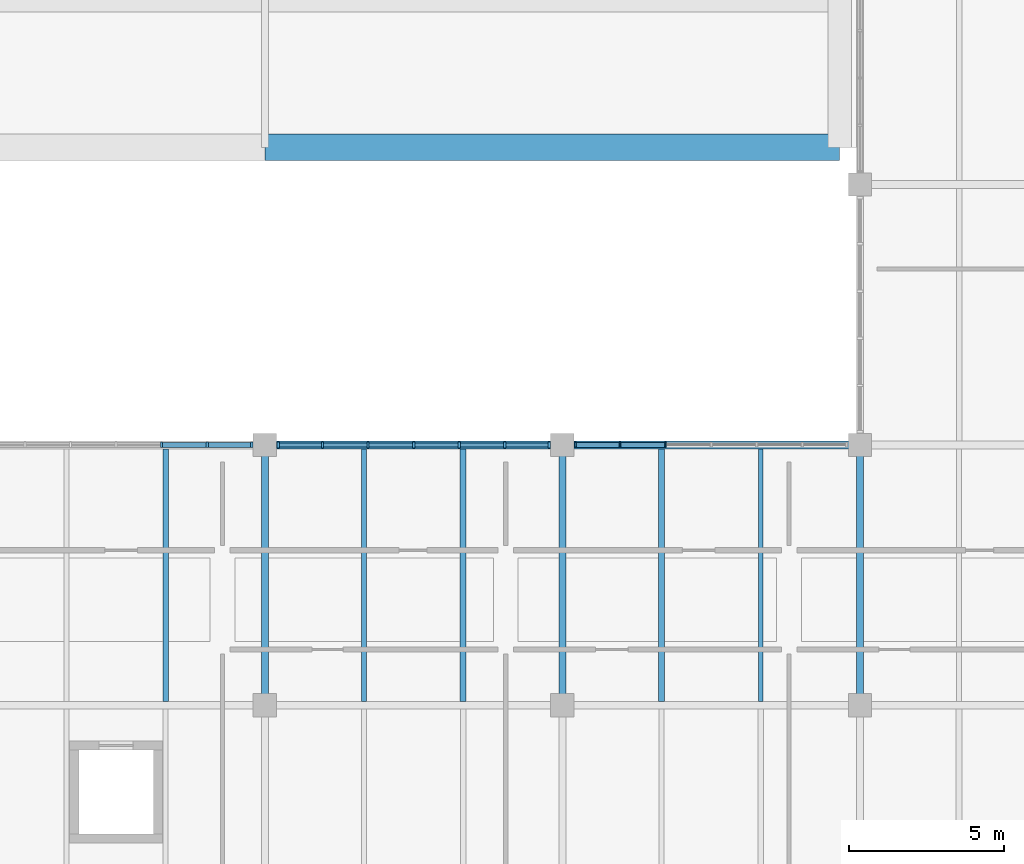
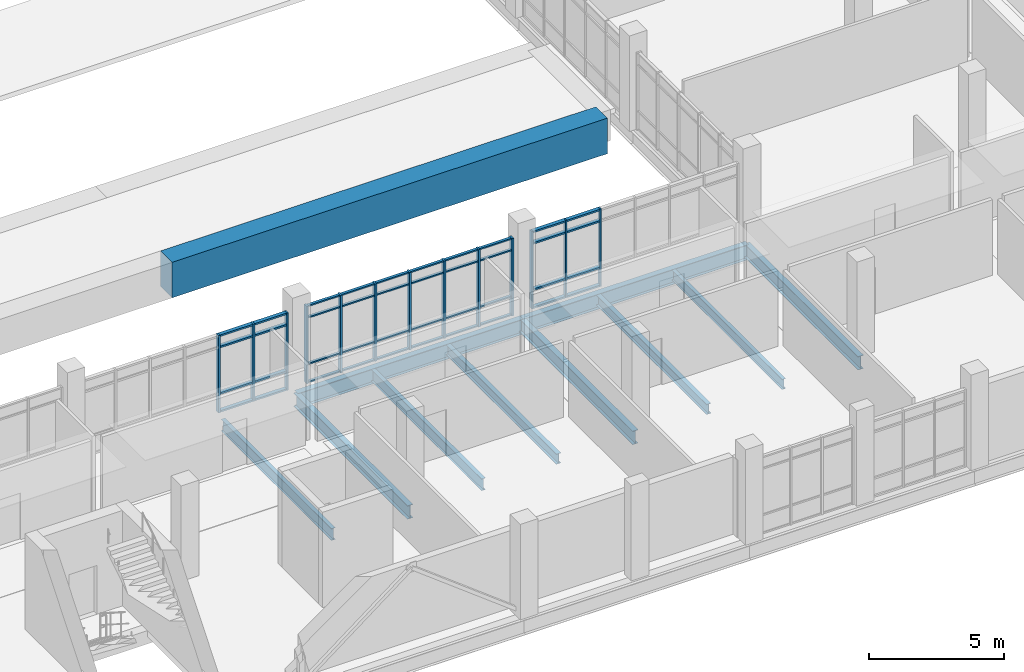
# One storey, part 20 of 86: 53 members, 11 beams, 3 elements without a shape of their own.
"""IFC4 building model written with IfcOpenShell, lengths in metres."""

from ifc_helpers import new_model, si_unit, direction, frame, origin, origin_2d, place, context, subcontext, project, spatial, rectangle, i_section, extrude, material, material_profile, profile_set, type_object, element, aggregate, save


model = new_model("IFC4")

# Units and contexts
model_context = context("Model", 3, precision=1e-05, world=origin(), true_north=direction((0.0, 1.0)))
body_context = subcontext(model_context, "Body", "Model", "MODEL_VIEW")
ifc_project = project(units=[si_unit("LENGTHUNIT", "METRE"), si_unit("AREAUNIT", "SQUARE_METRE"), si_unit("VOLUMEUNIT", "CUBIC_METRE"), si_unit("PLANEANGLEUNIT", "RADIAN"), si_unit("MASSUNIT", "GRAM", prefix="KILO")], contexts=[model_context])

# Site, building, storey
site_placement = place(None, origin())
site = spatial("IfcSite", under=ifc_project, at=site_placement, CompositionType="ELEMENT")
building_placement = place(site_placement, origin())
building = spatial("IfcBuilding", under=site, at=building_placement, Name="Oolite Switchyard Hospital", CompositionType="ELEMENT")
storey_placement = place(building_placement, frame((0.0, 0.0, 13.5)))
storey = spatial("IfcBuildingStorey", under=building, at=storey_placement, Name="L03", CompositionType="ELEMENT", Elevation=13.5)

# Beams
ifc_material_1 = material(Name="Concrete C40/50", Category="concrete")
ifc_material_profile_1 = material_profile(ifc_material_1, rectangle(XDim=0.85009765625, YDim=1.60009765625, at=origin_2d()), Name="RCT850X1600")
ifc_profile_set_1 = profile_set([ifc_material_profile_1], Name="Concrete C40/50")
beam_type_1 = type_object("IfcBeamType", Name="BM-TR850X1600", PredefinedType="BEAM", material=ifc_profile_set_1)
beam_1_placement = place(storey_placement, frame((163.199951171875, 34.800048828125, -0.800048828125), z_axis=(1.0, 0.0, 0.0), x_axis=(0.0, 1.0, 0.0)))
element("IfcBeam", 1, at=beam_1_placement, inside=storey, type_object=beam_type_1, Name="L03 X-Girder 1960", PredefinedType="BEAM", context=body_context, shape_type="SweptSolid", body=[
    extrude(rectangle(XDim=0.85009765625, YDim=1.60009765625, at=origin_2d()), origin(), (0.0, 0.0, 1.0), 18.550048828125),
])
ifc_material_2 = material(Name="Steel ASTM A992 Grade 50", Category="steel")
ifc_material_profile_2 = material_profile(ifc_material_2, i_section(OverallWidth=0.153076171875, OverallDepth=0.455078125, WebThickness=0.008056640625, FlangeThickness=0.012939453125, at=origin_2d()), Name="W18X40")
ifc_profile_set_2 = profile_set([ifc_material_profile_2], Name="Steel ASTM A992 Grade 50")
beam_type_2 = type_object("IfcBeamType", Name="BM-W18X40", PredefinedType="JOIST", material=ifc_profile_set_2)
beam_2_placement = place(storey_placement, frame((179.199951171875, 16.927001953125, -0.501953125), z_axis=(0.0, 1.0, 0.0), x_axis=(-1.0, 0.0, 0.0)))
element("IfcBeam", 2, at=beam_2_placement, inside=storey, type_object=beam_type_2, Name="L03 Secondary Steel Joist 2681", PredefinedType="JOIST", context=body_context, shape_type="SweptSolid", body=[
    extrude(i_section(OverallWidth=0.153076171875, OverallDepth=0.455078125, WebThickness=0.008056640625, FlangeThickness=0.012939453125, at=origin_2d()), origin(), (0.0, 0.0, 1.0), 8.14599609375),
])
ifc_material_profile_3 = material_profile(ifc_material_2, i_section(OverallWidth=0.19091796875, OverallDepth=0.4599609375, WebThickness=0.010009765625, FlangeThickness=0.01611328125, at=origin_2d()), Name="W18X55")
ifc_profile_set_3 = profile_set([ifc_material_profile_3], Name="Steel ASTM A992 Grade 50")
beam_type_3 = type_object("IfcBeamType", Name="BM-W18X55", PredefinedType="JOIST", material=ifc_profile_set_3)
for number, where, z_axis, x_axis, name in (
    (3, (169.60009765625, 16.927001953125, -0.5048828125), (0.0, 1.0, 0.0), (-1.0, 0.0, 0.0), "L03 Secondary Steel Joist 2661"),
    (4, (176.0, 16.927001953125, -0.5048828125), (0.0, 1.0, 0.0), (-1.0, 0.0, 0.0), "L03 Secondary Steel Joist 2680"),
):
    element("IfcBeam", number, at=place(storey_placement, frame(where, z_axis=z_axis, x_axis=x_axis)), inside=storey, type_object=beam_type_3, Name=name, PredefinedType="JOIST", context=body_context, shape_type="SweptSolid", body=[
        extrude(i_section(OverallWidth=0.19091796875, OverallDepth=0.4599609375, WebThickness=0.010009765625, FlangeThickness=0.01611328125, at=origin_2d()), origin(), (0.0, 0.0, 1.0), 8.14599609375),
    ])
ifc_material_profile_4 = material_profile(ifc_material_2, i_section(OverallWidth=0.166015625, OverallDepth=0.529052734375, WebThickness=0.010009765625, FlangeThickness=0.013916015625, at=origin_2d()), Name="W21X50")
ifc_profile_set_4 = profile_set([ifc_material_profile_4], Name="Steel ASTM A992 Grade 50")
beam_type_4 = type_object("IfcBeamType", Name="BM-W21X50", PredefinedType="JOIST", material=ifc_profile_set_4)
for number, where, z_axis, x_axis, name in (
    (5, (160.0, 16.927001953125, -0.5400390625), (0.0, 1.0, 0.0), (-1.0, 0.0, 0.0), "L03 Secondary Steel Joist 2641"),
    (6, (166.39990234375, 16.927001953125, -0.5400390625), (0.0, 1.0, 0.0), (-1.0, 0.0, 0.0), "L03 Secondary Steel Joist 2660"),
):
    element("IfcBeam", number, at=place(storey_placement, frame(where, z_axis=z_axis, x_axis=x_axis)), inside=storey, type_object=beam_type_4, Name=name, PredefinedType="JOIST", context=body_context, shape_type="SweptSolid", body=[
        extrude(i_section(OverallWidth=0.166015625, OverallDepth=0.529052734375, WebThickness=0.010009765625, FlangeThickness=0.013916015625, at=origin_2d()), origin(), (0.0, 0.0, 1.0), 8.14599609375),
    ])
ifc_material_profile_5 = material_profile(ifc_material_2, i_section(OverallWidth=0.22900390625, OverallDepth=0.612060546875, WebThickness=0.011962890625, FlangeThickness=0.02001953125, at=origin_2d()), Name="W24X84")
ifc_profile_set_5 = profile_set([ifc_material_profile_5], Name="Steel ASTM A992 Grade 50")
beam_type_5 = type_object("IfcBeamType", Name="BM-W24X84", PredefinedType="BEAM", material=ifc_profile_set_5)
for number, where, z_axis, x_axis, name in (
    (7, (163.199951171875, 16.800048828125, -0.5810546875), (0.0, 1.0, 0.0), (-1.0, 0.0, 0.0), "L03 Y-Girder 2324"),
    (8, (172.800048828125, 16.800048828125, -0.5810546875), (0.0, 1.0, 0.0), (-1.0, 0.0, 0.0), "L03 Y-Girder 2336"),
    (9, (182.39990234375, 16.800048828125, -0.5810546875), (0.0, 1.0, 0.0), (-1.0, 0.0, 0.0), "L03 Y-Girder 2349"),
):
    element("IfcBeam", number, at=place(storey_placement, frame(where, z_axis=z_axis, x_axis=x_axis)), inside=storey, type_object=beam_type_5, Name=name, PredefinedType="BEAM", context=body_context, shape_type="SweptSolid", body=[
        extrude(i_section(OverallWidth=0.22900390625, OverallDepth=0.612060546875, WebThickness=0.011962890625, FlangeThickness=0.02001953125, at=origin_2d()), origin(), (0.0, 0.0, 1.0), 8.39990234375),
    ])
ifc_material_profile_6 = material_profile(ifc_material_2, i_section(OverallWidth=0.25390625, OverallDepth=0.68408203125, WebThickness=0.011962890625, FlangeThickness=0.01904296875, at=origin_2d()), Name="W27X94")
ifc_profile_set_6 = profile_set([ifc_material_profile_6], Name="Steel ASTM A992 Grade 50")
beam_type_6 = type_object("IfcBeamType", Name="BM-W27X94", PredefinedType="BEAM", material=ifc_profile_set_6)
beam_3_placement = place(storey_placement, frame((163.199951171875, 25.199951171875, -0.616943359375), z_axis=(1.0, 0.0, 0.0), x_axis=(0.0, 1.0, 0.0)))
element("IfcBeam", 10, at=beam_3_placement, inside=storey, type_object=beam_type_6, Name="L03 X-Girder 1944", PredefinedType="BEAM", context=body_context, shape_type="SweptSolid", body=[
    extrude(i_section(OverallWidth=0.25390625, OverallDepth=0.68408203125, WebThickness=0.011962890625, FlangeThickness=0.01904296875, at=origin_2d()), origin(), (0.0, 0.0, 1.0), 9.60009765625),
])
beam_4_placement = place(storey_placement, frame((172.800048828125, 25.199951171875, -0.616943359375), z_axis=(1.0, 0.0, 0.0), x_axis=(0.0, 1.0, 0.0)))
element("IfcBeam", 11, at=beam_4_placement, inside=storey, type_object=beam_type_6, Name="L03 X-Girder 1945", PredefinedType="BEAM", context=body_context, shape_type="SweptSolid", body=[
    extrude(i_section(OverallWidth=0.25390625, OverallDepth=0.68408203125, WebThickness=0.011962890625, FlangeThickness=0.01904296875, at=origin_2d()), origin(), (0.0, 0.0, 1.0), 9.599853515625),
])

# Curtain wall, members
ifc_material_3 = material(Name="Thermally broken aluminum frame with laminated impact glazing", Category="aluminium")
curtain_wall_type = type_object("IfcCurtainWallType", Name="CW-UNIT-96X43", PredefinedType="USERDEFINED", material=ifc_material_3)
curtain_wall_1_placement = place(storey_placement, origin())
curtain_wall_1 = element("IfcCurtainWall", 12, at=curtain_wall_1_placement, inside=storey, type_object=curtain_wall_type, Name="L03 Unitised Curtain Wall 333", ObjectType="UNITISED", PredefinedType="USERDEFINED")
ifc_material_4 = material(Name="Aluminium 6063-T6", Category="aluminium")
ifc_material_profile_7 = material_profile(ifc_material_4, rectangle(XDim=0.159912109375, YDim=0.06005859375, at=origin_2d()), Name="CWM60X160")
ifc_profile_set_7 = profile_set([ifc_material_profile_7], Name="Aluminium 6063-T6")
member_type_1 = type_object("IfcMemberType", Name="CW-MUL-180", PredefinedType="MULLION", material=ifc_profile_set_7)
member_1_placement = place(storey_placement, frame((173.219970703125, 25.199951171875, 0.0), z_axis=(0.0, 0.0, 1.0), x_axis=(0.0, 1.0, 0.0)))
member_1 = element("IfcMember", 13, at=member_1_placement, type_object=member_type_1, Name="CW-04 mullion 1", PredefinedType="MULLION", context=body_context, shape_type="SweptSolid", body=[
    extrude(rectangle(XDim=0.159912109375, YDim=0.06005859375, at=origin_2d()), origin(), (0.0, 0.0, 1.0), 3.489990234375),
])
member_2_placement = place(storey_placement, frame((174.659912109375, 25.199951171875, 0.0), z_axis=(0.0, 0.0, 1.0), x_axis=(0.0, 1.0, 0.0)))
member_2 = element("IfcMember", 14, at=member_2_placement, type_object=member_type_1, Name="CW-04 mullion 2", PredefinedType="MULLION", context=body_context, shape_type="SweptSolid", body=[
    extrude(rectangle(XDim=0.159912109375, YDim=0.06005859375, at=origin_2d()), origin(), (0.0, 0.0, 1.0), 3.489990234375),
])
member_3_placement = place(storey_placement, frame((176.1298828125, 25.199951171875, 0.0), z_axis=(0.0, 0.0, 1.0), x_axis=(0.0, 1.0, 0.0)))
member_3 = element("IfcMember", 15, at=member_3_placement, type_object=member_type_1, Name="CW-04 mullion 3", PredefinedType="MULLION", context=body_context, shape_type="SweptSolid", body=[
    extrude(rectangle(XDim=0.159912109375, YDim=0.06005859375, at=origin_2d()), origin(), (0.0, 0.0, 1.0), 3.489990234375),
])

curtain_wall_2_placement = place(storey_placement, origin())
curtain_wall_2 = element("IfcCurtainWall", 16, at=curtain_wall_2_placement, inside=storey, type_object=curtain_wall_type, Name="L03 Unitised Curtain Wall 331", ObjectType="UNITISED", PredefinedType="USERDEFINED")
ifc_material_profile_8 = material_profile(ifc_material_4, rectangle(XDim=0.179931640625, YDim=0.070068359375, at=origin_2d()), Name="CWM70X180")
ifc_profile_set_8 = profile_set([ifc_material_profile_8], Name="Aluminium 6063-T6")
member_type_2 = type_object("IfcMemberType", Name="CW-MUL-220", PredefinedType="MULLION", material=ifc_profile_set_8)
member_4_placement = place(storey_placement, frame((159.8701171875, 25.199951171875, 0.0), z_axis=(0.0, 0.0, 1.0), x_axis=(0.0, 1.0, 0.0)))
member_4 = element("IfcMember", 17, at=member_4_placement, type_object=member_type_2, Name="CW-04 mullion 5", PredefinedType="MULLION", context=body_context, shape_type="SweptSolid", body=[
    extrude(rectangle(XDim=0.179931640625, YDim=0.070068359375, at=origin_2d()), origin(), (0.0, 0.0, 1.0), 3.489990234375),
])
member_5_placement = place(storey_placement, frame((161.340087890625, 25.199951171875, 0.0), z_axis=(0.0, 0.0, 1.0), x_axis=(0.0, 1.0, 0.0)))
member_5 = element("IfcMember", 18, at=member_5_placement, type_object=member_type_2, Name="CW-04 mullion 6", PredefinedType="MULLION", context=body_context, shape_type="SweptSolid", body=[
    extrude(rectangle(XDim=0.179931640625, YDim=0.070068359375, at=origin_2d()), origin(), (0.0, 0.0, 1.0), 3.489990234375),
])
member_6_placement = place(storey_placement, frame((162.77490234375, 25.199951171875, 0.0), z_axis=(0.0, 0.0, 1.0), x_axis=(0.0, 1.0, 0.0)))
member_6 = element("IfcMember", 19, at=member_6_placement, type_object=member_type_2, Name="CW-04 mullion 7", PredefinedType="MULLION", context=body_context, shape_type="SweptSolid", body=[
    extrude(rectangle(XDim=0.179931640625, YDim=0.070068359375, at=origin_2d()), origin(), (0.0, 0.0, 1.0), 3.489990234375),
])

curtain_wall_3_placement = place(storey_placement, origin())
curtain_wall_3 = element("IfcCurtainWall", 20, at=curtain_wall_3_placement, inside=storey, type_object=curtain_wall_type, Name="L03 Unitised Curtain Wall 332", ObjectType="UNITISED", PredefinedType="USERDEFINED")
ifc_material_profile_9 = material_profile(ifc_material_4, rectangle(XDim=0.199951171875, YDim=0.074951171875, at=origin_2d()), Name="CWM75X200")
ifc_profile_set_9 = profile_set([ifc_material_profile_9], Name="Aluminium 6063-T6")
member_type_3 = type_object("IfcMemberType", Name="CW-MUL-260", PredefinedType="MULLION", material=ifc_profile_set_9)
member_7_placement = place(storey_placement, frame((163.62744140625, 25.199951171875, 0.0), z_axis=(0.0, 0.0, 1.0), x_axis=(0.0, 1.0, 0.0)))
member_7 = element("IfcMember", 21, at=member_7_placement, type_object=member_type_3, Name="CW-04 mullion 1", PredefinedType="MULLION", context=body_context, shape_type="SweptSolid", body=[
    extrude(rectangle(XDim=0.199951171875, YDim=0.074951171875, at=origin_2d()), origin(), (0.0, 0.0, 1.0), 3.489990234375),
])
member_8_placement = place(storey_placement, frame((165.06005859375, 25.199951171875, 0.0), z_axis=(0.0, 0.0, 1.0), x_axis=(0.0, 1.0, 0.0)))
member_8 = element("IfcMember", 22, at=member_8_placement, type_object=member_type_3, Name="CW-04 mullion 2", PredefinedType="MULLION", context=body_context, shape_type="SweptSolid", body=[
    extrude(rectangle(XDim=0.199951171875, YDim=0.074951171875, at=origin_2d()), origin(), (0.0, 0.0, 1.0), 3.489990234375),
])
member_9_placement = place(storey_placement, frame((166.530029296875, 25.199951171875, 0.0), z_axis=(0.0, 0.0, 1.0), x_axis=(0.0, 1.0, 0.0)))
member_9 = element("IfcMember", 23, at=member_9_placement, type_object=member_type_3, Name="CW-04 mullion 3", PredefinedType="MULLION", context=body_context, shape_type="SweptSolid", body=[
    extrude(rectangle(XDim=0.199951171875, YDim=0.074951171875, at=origin_2d()), origin(), (0.0, 0.0, 1.0), 3.489990234375),
])
member_10_placement = place(storey_placement, frame((168.0, 25.199951171875, 0.0), z_axis=(0.0, 0.0, 1.0), x_axis=(0.0, 1.0, 0.0)))
member_10 = element("IfcMember", 24, at=member_10_placement, type_object=member_type_3, Name="CW-04 mullion 4", PredefinedType="MULLION", context=body_context, shape_type="SweptSolid", body=[
    extrude(rectangle(XDim=0.199951171875, YDim=0.074951171875, at=origin_2d()), origin(), (0.0, 0.0, 1.0), 3.489990234375),
])
member_11_placement = place(storey_placement, frame((169.469970703125, 25.199951171875, 0.0), z_axis=(0.0, 0.0, 1.0), x_axis=(0.0, 1.0, 0.0)))
member_11 = element("IfcMember", 25, at=member_11_placement, type_object=member_type_3, Name="CW-04 mullion 5", PredefinedType="MULLION", context=body_context, shape_type="SweptSolid", body=[
    extrude(rectangle(XDim=0.199951171875, YDim=0.074951171875, at=origin_2d()), origin(), (0.0, 0.0, 1.0), 3.489990234375),
])
member_12_placement = place(storey_placement, frame((170.93994140625, 25.199951171875, 0.0), z_axis=(0.0, 0.0, 1.0), x_axis=(0.0, 1.0, 0.0)))
member_12 = element("IfcMember", 26, at=member_12_placement, type_object=member_type_3, Name="CW-04 mullion 6", PredefinedType="MULLION", context=body_context, shape_type="SweptSolid", body=[
    extrude(rectangle(XDim=0.199951171875, YDim=0.074951171875, at=origin_2d()), origin(), (0.0, 0.0, 1.0), 3.489990234375),
])
member_13_placement = place(storey_placement, frame((172.37255859375, 25.199951171875, 0.0), z_axis=(0.0, 0.0, 1.0), x_axis=(0.0, 1.0, 0.0)))
member_13 = element("IfcMember", 27, at=member_13_placement, type_object=member_type_3, Name="CW-04 mullion 7", PredefinedType="MULLION", context=body_context, shape_type="SweptSolid", body=[
    extrude(rectangle(XDim=0.199951171875, YDim=0.074951171875, at=origin_2d()), origin(), (0.0, 0.0, 1.0), 3.489990234375),
])
ifc_material_profile_10 = material_profile(ifc_material_4, rectangle(XDim=0.1201171875, YDim=0.06005859375, at=origin_2d()), Name="CWT60X120")
ifc_profile_set_10 = profile_set([ifc_material_profile_10], Name="Aluminium 6063-T6")
member_type_4 = type_object("IfcMemberType", Name="CW-TRN-150", PredefinedType="USERDEFINED", material=ifc_profile_set_10)
member_14_placement = place(storey_placement, frame((163.6650390625, 25.199951171875, 0.030029296875), z_axis=(1.0, 0.0, 0.0), x_axis=(0.0, 1.0, 0.0)))
member_14 = element("IfcMember", 28, at=member_14_placement, type_object=member_type_4, Name="CW-04 transom 1.1", ObjectType="TRANSOM", PredefinedType="USERDEFINED", context=body_context, shape_type="SweptSolid", body=[
    extrude(rectangle(XDim=0.1201171875, YDim=0.06005859375, at=origin_2d()), origin(), (0.0, 0.0, 1.0), 1.357421875),
])
member_15_placement = place(storey_placement, frame((163.6650390625, 25.199951171875, 0.85009765625), z_axis=(1.0, 0.0, 0.0), x_axis=(0.0, 1.0, 0.0)))
member_15 = element("IfcMember", 29, at=member_15_placement, type_object=member_type_4, Name="CW-04 transom 1.2", ObjectType="TRANSOM", PredefinedType="USERDEFINED", context=body_context, shape_type="SweptSolid", body=[
    extrude(rectangle(XDim=0.1201171875, YDim=0.06005859375, at=origin_2d()), origin(), (0.0, 0.0, 1.0), 1.357421875),
])
member_16_placement = place(storey_placement, frame((163.6650390625, 25.199951171875, 2.93994140625), z_axis=(1.0, 0.0, 0.0), x_axis=(0.0, 1.0, 0.0)))
member_16 = element("IfcMember", 30, at=member_16_placement, type_object=member_type_4, Name="CW-04 transom 1.3", ObjectType="TRANSOM", PredefinedType="USERDEFINED", context=body_context, shape_type="SweptSolid", body=[
    extrude(rectangle(XDim=0.1201171875, YDim=0.06005859375, at=origin_2d()), origin(), (0.0, 0.0, 1.0), 1.357421875),
])
member_17_placement = place(storey_placement, frame((163.6650390625, 25.199951171875, 3.4599609375), z_axis=(1.0, 0.0, 0.0), x_axis=(0.0, 1.0, 0.0)))
member_17 = element("IfcMember", 31, at=member_17_placement, type_object=member_type_4, Name="CW-04 transom 1.4", ObjectType="TRANSOM", PredefinedType="USERDEFINED", context=body_context, shape_type="SweptSolid", body=[
    extrude(rectangle(XDim=0.1201171875, YDim=0.06005859375, at=origin_2d()), origin(), (0.0, 0.0, 1.0), 1.357421875),
])
member_18_placement = place(storey_placement, frame((165.097412109375, 25.199951171875, 0.030029296875), z_axis=(1.0, 0.0, 0.0), x_axis=(0.0, 1.0, 0.0)))
member_18 = element("IfcMember", 32, at=member_18_placement, type_object=member_type_4, Name="CW-04 transom 2.1", ObjectType="TRANSOM", PredefinedType="USERDEFINED", context=body_context, shape_type="SweptSolid", body=[
    extrude(rectangle(XDim=0.1201171875, YDim=0.06005859375, at=origin_2d()), origin(), (0.0, 0.0, 1.0), 1.39501953125),
])
member_19_placement = place(storey_placement, frame((165.097412109375, 25.199951171875, 0.85009765625), z_axis=(1.0, 0.0, 0.0), x_axis=(0.0, 1.0, 0.0)))
member_19 = element("IfcMember", 33, at=member_19_placement, type_object=member_type_4, Name="CW-04 transom 2.2", ObjectType="TRANSOM", PredefinedType="USERDEFINED", context=body_context, shape_type="SweptSolid", body=[
    extrude(rectangle(XDim=0.1201171875, YDim=0.06005859375, at=origin_2d()), origin(), (0.0, 0.0, 1.0), 1.39501953125),
])
member_20_placement = place(storey_placement, frame((165.097412109375, 25.199951171875, 2.93994140625), z_axis=(1.0, 0.0, 0.0), x_axis=(0.0, 1.0, 0.0)))
member_20 = element("IfcMember", 34, at=member_20_placement, type_object=member_type_4, Name="CW-04 transom 2.3", ObjectType="TRANSOM", PredefinedType="USERDEFINED", context=body_context, shape_type="SweptSolid", body=[
    extrude(rectangle(XDim=0.1201171875, YDim=0.06005859375, at=origin_2d()), origin(), (0.0, 0.0, 1.0), 1.39501953125),
])
member_21_placement = place(storey_placement, frame((165.097412109375, 25.199951171875, 3.4599609375), z_axis=(1.0, 0.0, 0.0), x_axis=(0.0, 1.0, 0.0)))
member_21 = element("IfcMember", 35, at=member_21_placement, type_object=member_type_4, Name="CW-04 transom 2.4", ObjectType="TRANSOM", PredefinedType="USERDEFINED", context=body_context, shape_type="SweptSolid", body=[
    extrude(rectangle(XDim=0.1201171875, YDim=0.06005859375, at=origin_2d()), origin(), (0.0, 0.0, 1.0), 1.39501953125),
])
member_22_placement = place(storey_placement, frame((166.5673828125, 25.199951171875, 0.030029296875), z_axis=(1.0, 0.0, 0.0), x_axis=(0.0, 1.0, 0.0)))
member_22 = element("IfcMember", 36, at=member_22_placement, type_object=member_type_4, Name="CW-04 transom 3.1", ObjectType="TRANSOM", PredefinedType="USERDEFINED", context=body_context, shape_type="SweptSolid", body=[
    extrude(rectangle(XDim=0.1201171875, YDim=0.06005859375, at=origin_2d()), origin(), (0.0, 0.0, 1.0), 1.39501953125),
])
member_23_placement = place(storey_placement, frame((166.5673828125, 25.199951171875, 0.85009765625), z_axis=(1.0, 0.0, 0.0), x_axis=(0.0, 1.0, 0.0)))
member_23 = element("IfcMember", 37, at=member_23_placement, type_object=member_type_4, Name="CW-04 transom 3.2", ObjectType="TRANSOM", PredefinedType="USERDEFINED", context=body_context, shape_type="SweptSolid", body=[
    extrude(rectangle(XDim=0.1201171875, YDim=0.06005859375, at=origin_2d()), origin(), (0.0, 0.0, 1.0), 1.39501953125),
])
member_24_placement = place(storey_placement, frame((166.5673828125, 25.199951171875, 2.93994140625), z_axis=(1.0, 0.0, 0.0), x_axis=(0.0, 1.0, 0.0)))
member_24 = element("IfcMember", 38, at=member_24_placement, type_object=member_type_4, Name="CW-04 transom 3.3", ObjectType="TRANSOM", PredefinedType="USERDEFINED", context=body_context, shape_type="SweptSolid", body=[
    extrude(rectangle(XDim=0.1201171875, YDim=0.06005859375, at=origin_2d()), origin(), (0.0, 0.0, 1.0), 1.39501953125),
])
member_25_placement = place(storey_placement, frame((166.5673828125, 25.199951171875, 3.4599609375), z_axis=(1.0, 0.0, 0.0), x_axis=(0.0, 1.0, 0.0)))
member_25 = element("IfcMember", 39, at=member_25_placement, type_object=member_type_4, Name="CW-04 transom 3.4", ObjectType="TRANSOM", PredefinedType="USERDEFINED", context=body_context, shape_type="SweptSolid", body=[
    extrude(rectangle(XDim=0.1201171875, YDim=0.06005859375, at=origin_2d()), origin(), (0.0, 0.0, 1.0), 1.39501953125),
])
member_26_placement = place(storey_placement, frame((168.03759765625, 25.199951171875, 0.030029296875), z_axis=(1.0, 0.0, 0.0), x_axis=(0.0, 1.0, 0.0)))
member_26 = element("IfcMember", 40, at=member_26_placement, type_object=member_type_4, Name="CW-04 transom 4.1", ObjectType="TRANSOM", PredefinedType="USERDEFINED", context=body_context, shape_type="SweptSolid", body=[
    extrude(rectangle(XDim=0.1201171875, YDim=0.06005859375, at=origin_2d()), origin(), (0.0, 0.0, 1.0), 1.39501953125),
])
member_27_placement = place(storey_placement, frame((168.03759765625, 25.199951171875, 0.85009765625), z_axis=(1.0, 0.0, 0.0), x_axis=(0.0, 1.0, 0.0)))
member_27 = element("IfcMember", 41, at=member_27_placement, type_object=member_type_4, Name="CW-04 transom 4.2", ObjectType="TRANSOM", PredefinedType="USERDEFINED", context=body_context, shape_type="SweptSolid", body=[
    extrude(rectangle(XDim=0.1201171875, YDim=0.06005859375, at=origin_2d()), origin(), (0.0, 0.0, 1.0), 1.39501953125),
])
member_28_placement = place(storey_placement, frame((168.03759765625, 25.199951171875, 2.93994140625), z_axis=(1.0, 0.0, 0.0), x_axis=(0.0, 1.0, 0.0)))
member_28 = element("IfcMember", 42, at=member_28_placement, type_object=member_type_4, Name="CW-04 transom 4.3", ObjectType="TRANSOM", PredefinedType="USERDEFINED", context=body_context, shape_type="SweptSolid", body=[
    extrude(rectangle(XDim=0.1201171875, YDim=0.06005859375, at=origin_2d()), origin(), (0.0, 0.0, 1.0), 1.39501953125),
])
member_29_placement = place(storey_placement, frame((168.03759765625, 25.199951171875, 3.4599609375), z_axis=(1.0, 0.0, 0.0), x_axis=(0.0, 1.0, 0.0)))
member_29 = element("IfcMember", 43, at=member_29_placement, type_object=member_type_4, Name="CW-04 transom 4.4", ObjectType="TRANSOM", PredefinedType="USERDEFINED", context=body_context, shape_type="SweptSolid", body=[
    extrude(rectangle(XDim=0.1201171875, YDim=0.06005859375, at=origin_2d()), origin(), (0.0, 0.0, 1.0), 1.39501953125),
])
member_30_placement = place(storey_placement, frame((169.507568359375, 25.199951171875, 0.030029296875), z_axis=(1.0, 0.0, 0.0), x_axis=(0.0, 1.0, 0.0)))
member_30 = element("IfcMember", 44, at=member_30_placement, type_object=member_type_4, Name="CW-04 transom 5.1", ObjectType="TRANSOM", PredefinedType="USERDEFINED", context=body_context, shape_type="SweptSolid", body=[
    extrude(rectangle(XDim=0.1201171875, YDim=0.06005859375, at=origin_2d()), origin(), (0.0, 0.0, 1.0), 1.39501953125),
])
member_31_placement = place(storey_placement, frame((169.507568359375, 25.199951171875, 0.85009765625), z_axis=(1.0, 0.0, 0.0), x_axis=(0.0, 1.0, 0.0)))
member_31 = element("IfcMember", 45, at=member_31_placement, type_object=member_type_4, Name="CW-04 transom 5.2", ObjectType="TRANSOM", PredefinedType="USERDEFINED", context=body_context, shape_type="SweptSolid", body=[
    extrude(rectangle(XDim=0.1201171875, YDim=0.06005859375, at=origin_2d()), origin(), (0.0, 0.0, 1.0), 1.39501953125),
])
member_32_placement = place(storey_placement, frame((169.507568359375, 25.199951171875, 2.93994140625), z_axis=(1.0, 0.0, 0.0), x_axis=(0.0, 1.0, 0.0)))
member_32 = element("IfcMember", 46, at=member_32_placement, type_object=member_type_4, Name="CW-04 transom 5.3", ObjectType="TRANSOM", PredefinedType="USERDEFINED", context=body_context, shape_type="SweptSolid", body=[
    extrude(rectangle(XDim=0.1201171875, YDim=0.06005859375, at=origin_2d()), origin(), (0.0, 0.0, 1.0), 1.39501953125),
])
member_33_placement = place(storey_placement, frame((169.507568359375, 25.199951171875, 3.4599609375), z_axis=(1.0, 0.0, 0.0), x_axis=(0.0, 1.0, 0.0)))
member_33 = element("IfcMember", 47, at=member_33_placement, type_object=member_type_4, Name="CW-04 transom 5.4", ObjectType="TRANSOM", PredefinedType="USERDEFINED", context=body_context, shape_type="SweptSolid", body=[
    extrude(rectangle(XDim=0.1201171875, YDim=0.06005859375, at=origin_2d()), origin(), (0.0, 0.0, 1.0), 1.39501953125),
])
member_34_placement = place(storey_placement, frame((170.9775390625, 25.199951171875, 0.030029296875), z_axis=(1.0, 0.0, 0.0), x_axis=(0.0, 1.0, 0.0)))
member_34 = element("IfcMember", 48, at=member_34_placement, type_object=member_type_4, Name="CW-04 transom 6.1", ObjectType="TRANSOM", PredefinedType="USERDEFINED", context=body_context, shape_type="SweptSolid", body=[
    extrude(rectangle(XDim=0.1201171875, YDim=0.06005859375, at=origin_2d()), origin(), (0.0, 0.0, 1.0), 1.357421875),
])
member_35_placement = place(storey_placement, frame((170.9775390625, 25.199951171875, 0.85009765625), z_axis=(1.0, 0.0, 0.0), x_axis=(0.0, 1.0, 0.0)))
member_35 = element("IfcMember", 49, at=member_35_placement, type_object=member_type_4, Name="CW-04 transom 6.2", ObjectType="TRANSOM", PredefinedType="USERDEFINED", context=body_context, shape_type="SweptSolid", body=[
    extrude(rectangle(XDim=0.1201171875, YDim=0.06005859375, at=origin_2d()), origin(), (0.0, 0.0, 1.0), 1.357421875),
])
member_36_placement = place(storey_placement, frame((170.9775390625, 25.199951171875, 2.93994140625), z_axis=(1.0, 0.0, 0.0), x_axis=(0.0, 1.0, 0.0)))
member_36 = element("IfcMember", 50, at=member_36_placement, type_object=member_type_4, Name="CW-04 transom 6.3", ObjectType="TRANSOM", PredefinedType="USERDEFINED", context=body_context, shape_type="SweptSolid", body=[
    extrude(rectangle(XDim=0.1201171875, YDim=0.06005859375, at=origin_2d()), origin(), (0.0, 0.0, 1.0), 1.357421875),
])
member_37_placement = place(storey_placement, frame((170.9775390625, 25.199951171875, 3.4599609375), z_axis=(1.0, 0.0, 0.0), x_axis=(0.0, 1.0, 0.0)))
member_37 = element("IfcMember", 51, at=member_37_placement, type_object=member_type_4, Name="CW-04 transom 6.4", ObjectType="TRANSOM", PredefinedType="USERDEFINED", context=body_context, shape_type="SweptSolid", body=[
    extrude(rectangle(XDim=0.1201171875, YDim=0.06005859375, at=origin_2d()), origin(), (0.0, 0.0, 1.0), 1.357421875),
])
aggregate(curtain_wall_3, [member_7, member_8, member_9, member_10, member_11, member_12, member_13, member_14, member_15, member_16, member_17, member_18, member_19, member_20, member_21, member_22, member_23, member_24, member_25, member_26, member_27, member_28, member_29, member_30, member_31, member_32, member_33, member_34, member_35, member_36, member_37])

# Member
ifc_material_profile_11 = material_profile(ifc_material_4, rectangle(XDim=0.159912109375, YDim=0.074951171875, at=origin_2d()), Name="CWT75X160")
ifc_profile_set_11 = profile_set([ifc_material_profile_11], Name="Aluminium 6063-T6")
member_type_5 = type_object("IfcMemberType", Name="CW-TRN-180", PredefinedType="USERDEFINED", material=ifc_profile_set_11)
member_38_placement = place(storey_placement, frame((159.905029296875, 25.199951171875, 0.03759765625), z_axis=(1.0, 0.0, 0.0), x_axis=(0.0, 1.0, 0.0)))
member_38 = element("IfcMember", 52, at=member_38_placement, type_object=member_type_5, Name="CW-04 transom 5.1", ObjectType="TRANSOM", PredefinedType="USERDEFINED", context=body_context, shape_type="SweptSolid", body=[
    extrude(rectangle(XDim=0.159912109375, YDim=0.074951171875, at=origin_2d()), origin(), (0.0, 0.0, 1.0), 1.39990234375),
])

member_39_placement = place(storey_placement, frame((159.905029296875, 25.199951171875, 0.85009765625), z_axis=(1.0, 0.0, 0.0), x_axis=(0.0, 1.0, 0.0)))
member_39 = element("IfcMember", 53, at=member_39_placement, type_object=member_type_5, Name="CW-04 transom 5.2", ObjectType="TRANSOM", PredefinedType="USERDEFINED", context=body_context, shape_type="SweptSolid", body=[
    extrude(rectangle(XDim=0.159912109375, YDim=0.074951171875, at=origin_2d()), origin(), (0.0, 0.0, 1.0), 1.39990234375),
])

member_40_placement = place(storey_placement, frame((159.905029296875, 25.199951171875, 2.93994140625), z_axis=(1.0, 0.0, 0.0), x_axis=(0.0, 1.0, 0.0)))
member_40 = element("IfcMember", 54, at=member_40_placement, type_object=member_type_5, Name="CW-04 transom 5.3", ObjectType="TRANSOM", PredefinedType="USERDEFINED", context=body_context, shape_type="SweptSolid", body=[
    extrude(rectangle(XDim=0.159912109375, YDim=0.074951171875, at=origin_2d()), origin(), (0.0, 0.0, 1.0), 1.39990234375),
])

member_41_placement = place(storey_placement, frame((159.905029296875, 25.199951171875, 3.452392578125), z_axis=(1.0, 0.0, 0.0), x_axis=(0.0, 1.0, 0.0)))
member_41 = element("IfcMember", 55, at=member_41_placement, type_object=member_type_5, Name="CW-04 transom 5.4", ObjectType="TRANSOM", PredefinedType="USERDEFINED", context=body_context, shape_type="SweptSolid", body=[
    extrude(rectangle(XDim=0.159912109375, YDim=0.074951171875, at=origin_2d()), origin(), (0.0, 0.0, 1.0), 1.39990234375),
])

member_42_placement = place(storey_placement, frame((161.375, 25.199951171875, 0.03759765625), z_axis=(1.0, 0.0, 0.0), x_axis=(0.0, 1.0, 0.0)))
member_42 = element("IfcMember", 56, at=member_42_placement, type_object=member_type_5, Name="CW-04 transom 6.1", ObjectType="TRANSOM", PredefinedType="USERDEFINED", context=body_context, shape_type="SweptSolid", body=[
    extrude(rectangle(XDim=0.159912109375, YDim=0.074951171875, at=origin_2d()), origin(), (0.0, 0.0, 1.0), 1.364990234375),
])

member_43_placement = place(storey_placement, frame((161.375, 25.199951171875, 0.85009765625), z_axis=(1.0, 0.0, 0.0), x_axis=(0.0, 1.0, 0.0)))
member_43 = element("IfcMember", 57, at=member_43_placement, type_object=member_type_5, Name="CW-04 transom 6.2", ObjectType="TRANSOM", PredefinedType="USERDEFINED", context=body_context, shape_type="SweptSolid", body=[
    extrude(rectangle(XDim=0.159912109375, YDim=0.074951171875, at=origin_2d()), origin(), (0.0, 0.0, 1.0), 1.364990234375),
])

member_44_placement = place(storey_placement, frame((161.375, 25.199951171875, 2.93994140625), z_axis=(1.0, 0.0, 0.0), x_axis=(0.0, 1.0, 0.0)))
member_44 = element("IfcMember", 58, at=member_44_placement, type_object=member_type_5, Name="CW-04 transom 6.3", ObjectType="TRANSOM", PredefinedType="USERDEFINED", context=body_context, shape_type="SweptSolid", body=[
    extrude(rectangle(XDim=0.159912109375, YDim=0.074951171875, at=origin_2d()), origin(), (0.0, 0.0, 1.0), 1.364990234375),
])

member_45_placement = place(storey_placement, frame((161.375, 25.199951171875, 3.452392578125), z_axis=(1.0, 0.0, 0.0), x_axis=(0.0, 1.0, 0.0)))
member_45 = element("IfcMember", 59, at=member_45_placement, type_object=member_type_5, Name="CW-04 transom 6.4", ObjectType="TRANSOM", PredefinedType="USERDEFINED", context=body_context, shape_type="SweptSolid", body=[
    extrude(rectangle(XDim=0.159912109375, YDim=0.074951171875, at=origin_2d()), origin(), (0.0, 0.0, 1.0), 1.364990234375),
])

aggregate(curtain_wall_2, [member_4, member_5, member_6, member_38, member_39, member_40, member_41, member_42, member_43, member_44, member_45])

member_46_placement = place(storey_placement, frame((173.25, 25.199951171875, 0.03759765625), z_axis=(1.0, 0.0, 0.0), x_axis=(0.0, 1.0, 0.0)))
member_46 = element("IfcMember", 60, at=member_46_placement, type_object=member_type_5, Name="CW-04 transom 1.1", ObjectType="TRANSOM", PredefinedType="USERDEFINED", context=body_context, shape_type="SweptSolid", body=[
    extrude(rectangle(XDim=0.159912109375, YDim=0.074951171875, at=origin_2d()), origin(), (0.0, 0.0, 1.0), 1.3798828125),
])

member_47_placement = place(storey_placement, frame((173.25, 25.199951171875, 0.85009765625), z_axis=(1.0, 0.0, 0.0), x_axis=(0.0, 1.0, 0.0)))
member_47 = element("IfcMember", 61, at=member_47_placement, type_object=member_type_5, Name="CW-04 transom 1.2", ObjectType="TRANSOM", PredefinedType="USERDEFINED", context=body_context, shape_type="SweptSolid", body=[
    extrude(rectangle(XDim=0.159912109375, YDim=0.074951171875, at=origin_2d()), origin(), (0.0, 0.0, 1.0), 1.3798828125),
])

member_48_placement = place(storey_placement, frame((173.25, 25.199951171875, 2.93994140625), z_axis=(1.0, 0.0, 0.0), x_axis=(0.0, 1.0, 0.0)))
member_48 = element("IfcMember", 62, at=member_48_placement, type_object=member_type_5, Name="CW-04 transom 1.3", ObjectType="TRANSOM", PredefinedType="USERDEFINED", context=body_context, shape_type="SweptSolid", body=[
    extrude(rectangle(XDim=0.159912109375, YDim=0.074951171875, at=origin_2d()), origin(), (0.0, 0.0, 1.0), 1.3798828125),
])

member_49_placement = place(storey_placement, frame((173.25, 25.199951171875, 3.452392578125), z_axis=(1.0, 0.0, 0.0), x_axis=(0.0, 1.0, 0.0)))
member_49 = element("IfcMember", 63, at=member_49_placement, type_object=member_type_5, Name="CW-04 transom 1.4", ObjectType="TRANSOM", PredefinedType="USERDEFINED", context=body_context, shape_type="SweptSolid", body=[
    extrude(rectangle(XDim=0.159912109375, YDim=0.074951171875, at=origin_2d()), origin(), (0.0, 0.0, 1.0), 1.3798828125),
])

member_50_placement = place(storey_placement, frame((174.68994140625, 25.199951171875, 0.03759765625), z_axis=(1.0, 0.0, 0.0), x_axis=(0.0, 1.0, 0.0)))
member_50 = element("IfcMember", 64, at=member_50_placement, type_object=member_type_5, Name="CW-04 transom 2.1", ObjectType="TRANSOM", PredefinedType="USERDEFINED", context=body_context, shape_type="SweptSolid", body=[
    extrude(rectangle(XDim=0.159912109375, YDim=0.074951171875, at=origin_2d()), origin(), (0.0, 0.0, 1.0), 1.41015625),
])

member_51_placement = place(storey_placement, frame((174.68994140625, 25.199951171875, 0.85009765625), z_axis=(1.0, 0.0, 0.0), x_axis=(0.0, 1.0, 0.0)))
member_51 = element("IfcMember", 65, at=member_51_placement, type_object=member_type_5, Name="CW-04 transom 2.2", ObjectType="TRANSOM", PredefinedType="USERDEFINED", context=body_context, shape_type="SweptSolid", body=[
    extrude(rectangle(XDim=0.159912109375, YDim=0.074951171875, at=origin_2d()), origin(), (0.0, 0.0, 1.0), 1.41015625),
])

member_52_placement = place(storey_placement, frame((174.68994140625, 25.199951171875, 2.93994140625), z_axis=(1.0, 0.0, 0.0), x_axis=(0.0, 1.0, 0.0)))
member_52 = element("IfcMember", 66, at=member_52_placement, type_object=member_type_5, Name="CW-04 transom 2.3", ObjectType="TRANSOM", PredefinedType="USERDEFINED", context=body_context, shape_type="SweptSolid", body=[
    extrude(rectangle(XDim=0.159912109375, YDim=0.074951171875, at=origin_2d()), origin(), (0.0, 0.0, 1.0), 1.41015625),
])

member_53_placement = place(storey_placement, frame((174.68994140625, 25.199951171875, 3.452392578125), z_axis=(1.0, 0.0, 0.0), x_axis=(0.0, 1.0, 0.0)))
member_53 = element("IfcMember", 67, at=member_53_placement, type_object=member_type_5, Name="CW-04 transom 2.4", ObjectType="TRANSOM", PredefinedType="USERDEFINED", context=body_context, shape_type="SweptSolid", body=[
    extrude(rectangle(XDim=0.159912109375, YDim=0.074951171875, at=origin_2d()), origin(), (0.0, 0.0, 1.0), 1.41015625),
])

aggregate(curtain_wall_1, [member_1, member_2, member_3, member_46, member_47, member_48, member_49, member_50, member_51, member_52, member_53])

save(model, "model.ifc")
